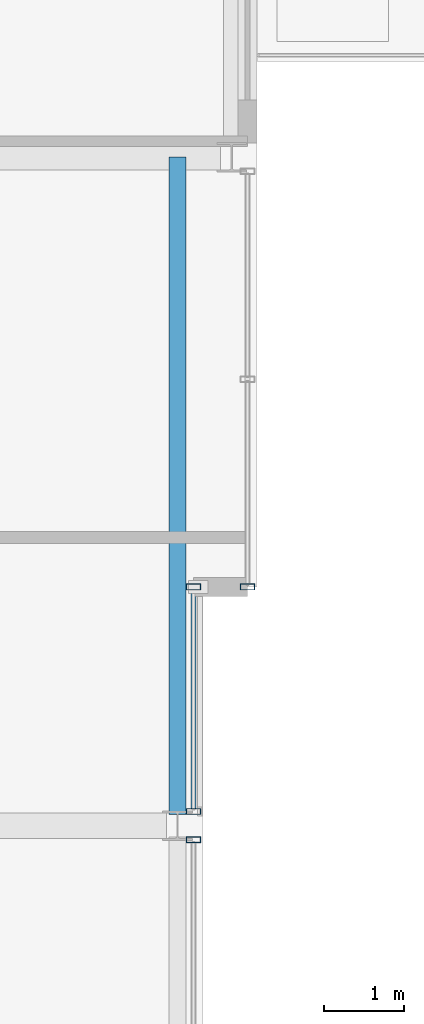
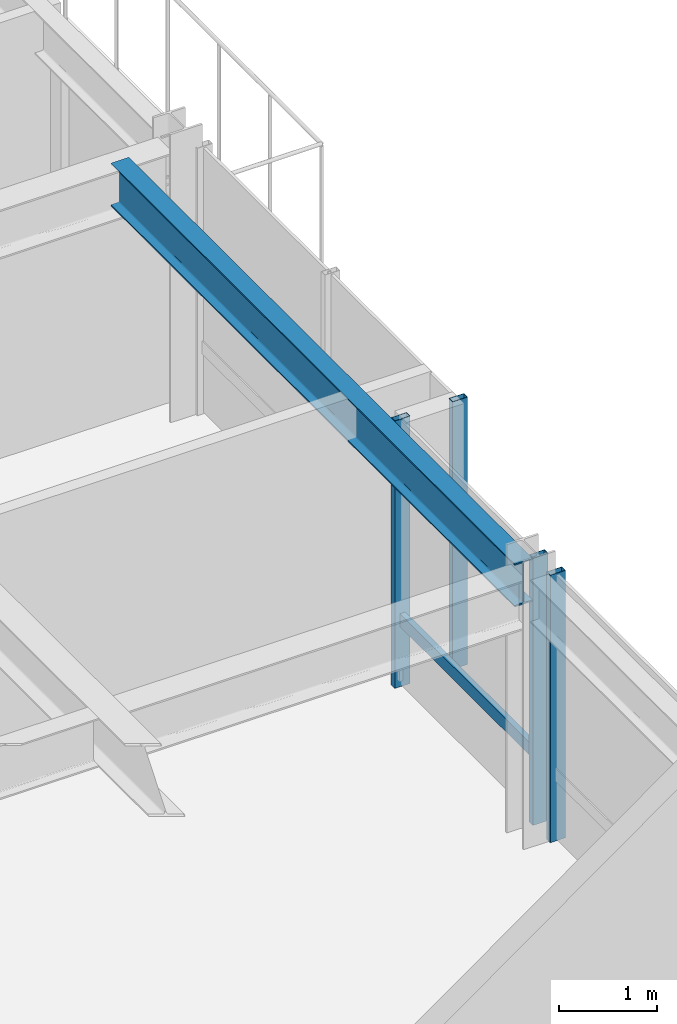
# One storey, part 17 of 33: 5 members, 1 beam, 3 elements without a shape of their own.
"""IFC4 building model written with IfcOpenShell, lengths in metres."""

from ifc_helpers import new_model, si_unit, direction, frame, origin, origin_2d, place, context, subcontext, project, spatial, hollow_rectangle, i_section, extrude, material, layer, layer_set, material_profile, profile_set, type_object, element, aggregate, save


model = new_model("IFC4")

# Units and contexts
model_context = context("Model", 3, precision=1e-05, world=origin(), true_north=direction((0.0, 1.0)))
body_context = subcontext(model_context, "Body", "Model", "MODEL_VIEW")
ifc_project = project(units=[si_unit("LENGTHUNIT", "METRE"), si_unit("AREAUNIT", "SQUARE_METRE"), si_unit("VOLUMEUNIT", "CUBIC_METRE"), si_unit("PLANEANGLEUNIT", "RADIAN"), si_unit("MASSUNIT", "GRAM", prefix="KILO")], contexts=[model_context])

# Site, building, storey
site_placement = place(None, origin())
site = spatial("IfcSite", under=ifc_project, at=site_placement, CompositionType="ELEMENT")
building_placement = place(site_placement, origin())
building = spatial("IfcBuilding", under=site, at=building_placement, Name="Drelvath Grand Hotel", CompositionType="ELEMENT")
storey_placement = place(building_placement, frame((0.0, 0.0, 248.300048828125)))
storey = spatial("IfcBuildingStorey", under=building, at=storey_placement, Name="L65", CompositionType="ELEMENT", Elevation=248.300048828125)

# Curtain wall, member
ifc_material_1 = material(Name="Platinum-Mist Anodised Aluminium Frame", Category="aluminium")
ifc_layer = layer(ifc_material_1, 0.199951171875)
ifc_layer_set = layer_set([ifc_layer], Name="Platinum-Mist Anodised Aluminium Frame")
curtain_wall_type = type_object("IfcCurtainWallType", Name="Stick Curtain Wall CW-05 Platinum Mist High-Rise", PredefinedType="NOTDEFINED", material=ifc_layer_set)
curtain_wall_1_placement = place(storey_placement, origin())
curtain_wall_1 = element("IfcCurtainWall", 1, at=curtain_wall_1_placement, inside=storey, type_object=curtain_wall_type, Name="L65 CW-05 Curtain Wall CW05-L65-EM2", PredefinedType="NOTDEFINED")
ifc_material_profile_1 = material_profile(ifc_material_1, hollow_rectangle(XDim=0.06494140625, YDim=0.159912109375, WallThickness=0.00390625, at=origin_2d()), Name="HSS160X65X4")
ifc_profile_set_1 = profile_set([ifc_material_profile_1], Name="Platinum-Mist Anodised Aluminium Frame")
member_type_1 = type_object("IfcMemberType", Name="Curtain Wall Horizontal Transom CW-05 HSS160X65X4", PredefinedType="USERDEFINED", material=ifc_profile_set_1)
member_1_placement = place(storey_placement, frame((21.39990234375, 29.9599609375, 0.8349609375), z_axis=(0.0, -1.0, 0.0), x_axis=(1.0, 0.0, 0.0)))
member_1 = element("IfcMember", 2, at=member_1_placement, type_object=member_type_1, Name="CW05-L65-EM2 Sill Transom", ObjectType="TRANSOM", PredefinedType="USERDEFINED", context=body_context, shape_type="SweptSolid", body=[
    extrude(hollow_rectangle(XDim=0.06494140625, YDim=0.159912109375, WallThickness=0.00390625, at=origin_2d()), origin(), (0.0, 0.0, 1.0), 2.74169921875),
])

curtain_wall_2_placement = place(storey_placement, origin())
curtain_wall_2 = element("IfcCurtainWall", 3, at=curtain_wall_2_placement, inside=storey, type_object=curtain_wall_type, Name="L65 CW-05 Curtain Wall CW05-L65-EN1", PredefinedType="NOTDEFINED")
ifc_material_profile_2 = material_profile(ifc_material_1, hollow_rectangle(XDim=0.074951171875, YDim=0.179931640625, WallThickness=0.0048828125, at=origin_2d()), Name="HSS180X75X5")
ifc_profile_set_2 = profile_set([ifc_material_profile_2], Name="Platinum-Mist Anodised Aluminium Frame")
member_type_2 = type_object("IfcMemberType", Name="Curtain Wall Vertical Mullion CW-05 HSS180X75X5", PredefinedType="MULLION", material=ifc_profile_set_2)
member_2_placement = place(storey_placement, frame((22.080078125, 30.0, 0.0), z_axis=(0.0, 0.0, 1.0), x_axis=(0.0, 1.0, 0.0)))
member_2 = element("IfcMember", 4, at=member_2_placement, type_object=member_type_2, Name="CW05-L65-EN1 Mullion 3", PredefinedType="MULLION", context=body_context, shape_type="SweptSolid", body=[
    extrude(hollow_rectangle(XDim=0.074951171875, YDim=0.179931640625, WallThickness=0.0048828125, at=origin_2d()), origin(), (0.0, 0.0, 1.0), 3.33984375),
])
aggregate(curtain_wall_2, [member_2])

curtain_wall_3_placement = place(storey_placement, origin())
curtain_wall_3 = element("IfcCurtainWall", 5, at=curtain_wall_3_placement, inside=storey, type_object=curtain_wall_type, Name="L65 CW-05 Curtain Wall CW05-L65-EM1", PredefinedType="NOTDEFINED")
member_3_placement = place(storey_placement, frame((21.39990234375, 26.82177734375, 0.0), z_axis=(0.0, 0.0, 1.0), x_axis=(0.0, 1.0, 0.0)))
member_3 = element("IfcMember", 6, at=member_3_placement, type_object=member_type_2, Name="CW05-L65-EM1 Mullion 1", PredefinedType="MULLION", context=body_context, shape_type="SweptSolid", body=[
    extrude(hollow_rectangle(XDim=0.074951171875, YDim=0.179931640625, WallThickness=0.0048828125, at=origin_2d()), origin(), (0.0, 0.0, 1.0), 3.33984375),
])
aggregate(curtain_wall_3, [member_3])

# Member
member_4_placement = place(storey_placement, frame((21.39990234375, 30.0, 0.0), z_axis=(0.0, 0.0, 1.0), x_axis=(0.0, 1.0, 0.0)))
member_4 = element("IfcMember", 7, at=member_4_placement, type_object=member_type_2, Name="CW05-L65-EM2 Mullion 1", PredefinedType="MULLION", context=body_context, shape_type="SweptSolid", body=[
    extrude(hollow_rectangle(XDim=0.074951171875, YDim=0.179931640625, WallThickness=0.0048828125, at=origin_2d()), origin(), (0.0, 0.0, 1.0), 3.33984375),
])

member_5_placement = place(storey_placement, frame((21.39990234375, 27.17822265625, 0.0), z_axis=(0.0, 0.0, 1.0), x_axis=(0.0, 1.0, 0.0)))
member_5 = element("IfcMember", 8, at=member_5_placement, type_object=member_type_2, Name="CW05-L65-EM2 Mullion 2", PredefinedType="MULLION", context=body_context, shape_type="SweptSolid", body=[
    extrude(hollow_rectangle(XDim=0.074951171875, YDim=0.179931640625, WallThickness=0.0048828125, at=origin_2d()), origin(), (0.0, 0.0, 1.0), 3.33984375),
])

aggregate(curtain_wall_1, [member_4, member_5, member_1])

# Beam
ifc_material_2 = material(Name="Steel ASTM A992 Gr 50", Category="steel")
ifc_material_profile_3 = material_profile(ifc_material_2, i_section(OverallWidth=0.210205078125, OverallDepth=0.53662109375, WebThickness=0.010986328125, FlangeThickness=0.017333984375, FilletRadius=0.01806640625, at=origin_2d()), Name="W21X68")
ifc_profile_set_3 = profile_set([ifc_material_profile_3], Name="Steel ASTM A992 Gr 50")
beam_type = type_object("IfcBeamType", Name="Perimeter Spandrel Beam W21X68", PredefinedType="SPANDREL", material=ifc_profile_set_3)
beam_placement = place(storey_placement, frame((21.199951171875, 27.139892578125, 3.071533203125), z_axis=(0.0, 1.0, 0.0), x_axis=(-1.0, 0.0, 0.0)))
element("IfcBeam", 9, at=beam_placement, inside=storey, type_object=beam_type, Name="L65 Spandrel East Mid N", PredefinedType="SPANDREL", context=body_context, shape_type="SweptSolid", body=[
    extrude(i_section(OverallWidth=0.210205078125, OverallDepth=0.53662109375, WebThickness=0.010986328125, FlangeThickness=0.017333984375, FilletRadius=0.01806640625, at=origin_2d()), origin(), (0.0, 0.0, 1.0), 8.260009765625),
])

save(model, "model.ifc")
